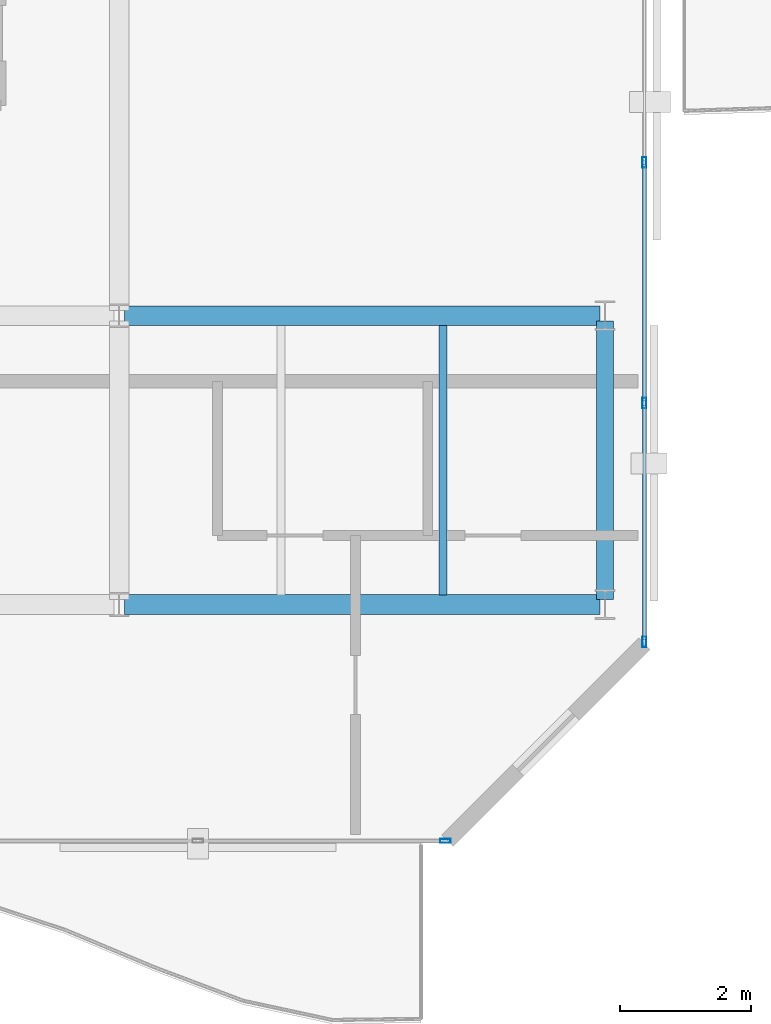
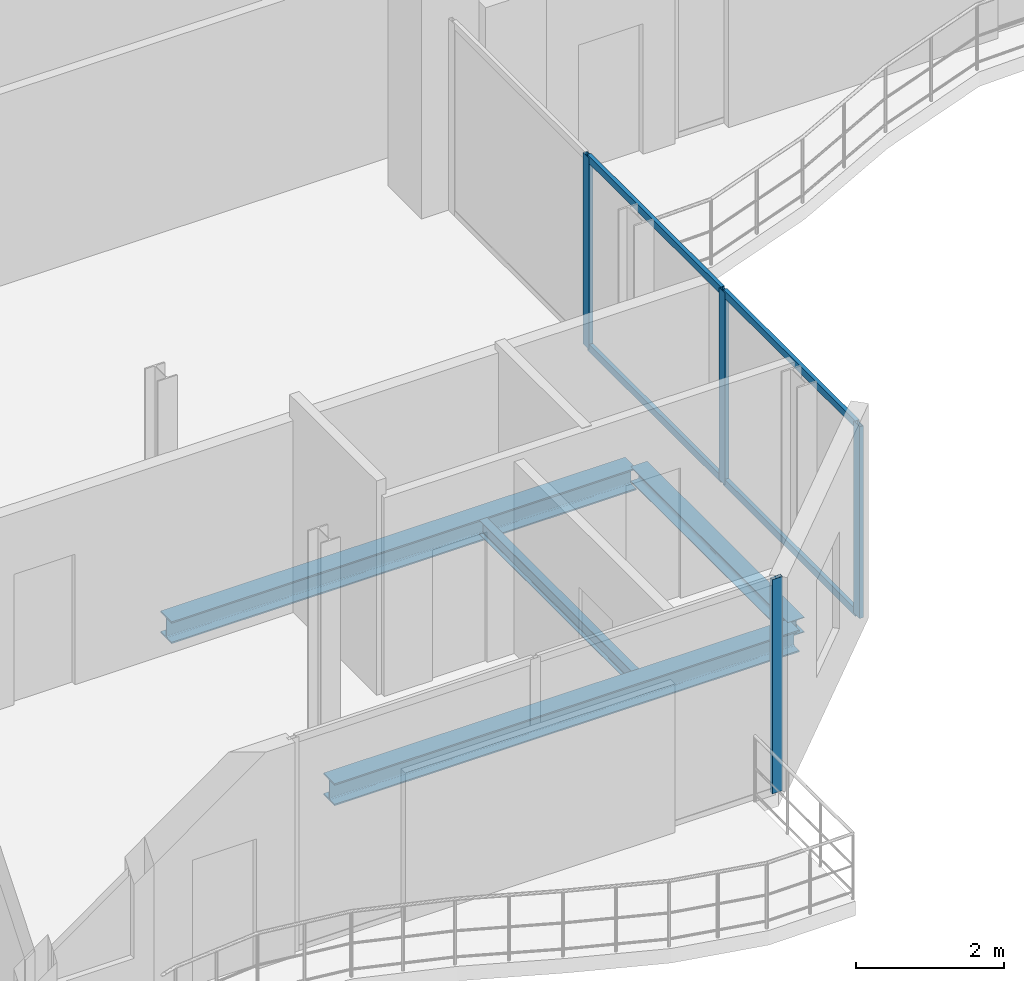
# One storey, part 7 of 23: 8 members, 4 beams, 2 elements without a shape of their own.
"""IFC4 building model written with IfcOpenShell, lengths in metres."""

from ifc_helpers import new_model, si_unit, direction, frame, origin, origin_2d, place, context, subcontext, project, spatial, hollow_rectangle, i_section, extrude, material, layer, layer_set, material_profile, profile_set, type_object, element, aggregate, save


model = new_model("IFC4")

# Units and contexts
model_context = context("Model", 3, precision=1e-05, world=origin(), true_north=direction((0.0, 1.0)))
body_context = subcontext(model_context, "Body", "Model", "MODEL_VIEW")
ifc_project = project(units=[si_unit("LENGTHUNIT", "METRE"), si_unit("AREAUNIT", "SQUARE_METRE"), si_unit("VOLUMEUNIT", "CUBIC_METRE"), si_unit("PLANEANGLEUNIT", "RADIAN"), si_unit("MASSUNIT", "GRAM", prefix="KILO")], contexts=[model_context])

# Site, building, storey
site_placement = place(None, origin())
site = spatial("IfcSite", under=ifc_project, at=site_placement, CompositionType="ELEMENT")
building_placement = place(site_placement, origin())
building = spatial("IfcBuilding", under=site, at=building_placement, Name="Catumbela Crestline Tower", CompositionType="ELEMENT")
storey_placement = place(building_placement, frame((0.0, 0.0, 245.0)))
storey = spatial("IfcBuildingStorey", under=building, at=storey_placement, Name="L63", CompositionType="ELEMENT", Elevation=245.0)

# Beams
ifc_material_1 = material(Name="Structural steel S355J2", Category="steel")
ifc_material_profile_1 = material_profile(ifc_material_1, i_section(OverallWidth=0.3, OverallDepth=0.36, WebThickness=0.0125, FlangeThickness=0.0225, FilletRadius=0.027, at=origin_2d()), Name="HEB 360")
ifc_profile_set_1 = profile_set([ifc_material_profile_1], Name="Structural steel S355J2")
beam_type_1 = type_object("IfcBeamType", Name="BG-HEB360", PredefinedType="BEAM", material=ifc_profile_set_1)
for number, where, z_axis, x_axis, name in (
    (1, (16.08, 13.6, -0.44), (1.0, 0.0, 0.0), (0.0, 1.0, 0.0), "L63 Beam BM-L63-WEW28"),
    (2, (16.08, 18.0, -0.44), (1.0, 0.0, 0.0), (0.0, 1.0, 0.0), "L63 Beam BM-L63-WEW30"),
):
    element("IfcBeam", number, at=place(storey_placement, frame(where, z_axis=z_axis, x_axis=x_axis)), inside=storey, type_object=beam_type_1, Name=name, PredefinedType="BEAM", context=body_context, shape_type="SweptSolid", body=[
        extrude(i_section(OverallWidth=0.3, OverallDepth=0.36, WebThickness=0.0125, FlangeThickness=0.0225, FilletRadius=0.027, at=origin_2d()), origin(), (0.0, 0.0, 1.0), 7.24),
    ])
ifc_material_profile_2 = material_profile(ifc_material_1, i_section(OverallWidth=0.12, OverallDepth=0.24, WebThickness=0.0062, FlangeThickness=0.0098, FilletRadius=0.015, at=origin_2d()), Name="IPE 240")
ifc_profile_set_2 = profile_set([ifc_material_profile_2], Name="Structural steel S355J2")
beam_type_2 = type_object("IfcBeamType", Name="BJ-IPE240", PredefinedType="JOIST", material=ifc_profile_set_2)
beam_1_placement = place(storey_placement, frame((20.933, 13.747, -0.38), z_axis=(0.0, 1.0, 0.0), x_axis=(-1.0, 0.0, 0.0)))
element("IfcBeam", 3, at=beam_1_placement, inside=storey, type_object=beam_type_2, Name="L63 Joist JS-L63-WG39", PredefinedType="JOIST", context=body_context, shape_type="SweptSolid", body=[
    extrude(i_section(OverallWidth=0.12, OverallDepth=0.24, WebThickness=0.0062, FlangeThickness=0.0098, FilletRadius=0.015, at=origin_2d()), origin(), (0.0, 0.0, 1.0), 4.106),
])

# Curtain wall, member
ifc_material_2 = material(Name="Aluminium alloy AW-6060-T66", Category="aluminium")
ifc_layer = layer(ifc_material_2, 0.18, Name="Aluminium alloy AW-6060-T66")
ifc_layer_set = layer_set([ifc_layer], Name="Aluminium alloy AW-6060-T66")
curtain_wall_type = type_object("IfcCurtainWallType", Name="CWU-Z4", PredefinedType="USERDEFINED", material=ifc_layer_set)
curtain_wall_1_placement = place(storey_placement, origin())
curtain_wall_1 = element("IfcCurtainWall", 4, at=curtain_wall_1_placement, inside=storey, type_object=curtain_wall_type, Name="L63 Unitised Curtain Wall CW-L63-E0S2", ObjectType="UNITISED", PredefinedType="USERDEFINED")
ifc_material_profile_3 = material_profile(ifc_material_2, hollow_rectangle(XDim=0.06, YDim=0.16, WallThickness=0.004, at=origin_2d()), Name="ALU 160x60x4")
ifc_profile_set_3 = profile_set([ifc_material_profile_3], Name="Aluminium alloy AW-6060-T66")
member_type_1 = type_object("IfcMemberType", Name="MUL-160X60", PredefinedType="MULLION", material=ifc_profile_set_3)
member_1_placement = place(storey_placement, frame((20.9675, 10.0, 0.0), z_axis=(0.0, 0.0, 1.0), x_axis=(0.0, 1.0, 0.0)))
member_1 = element("IfcMember", 5, at=member_1_placement, type_object=member_type_1, Name="CWU-Z4 mullion 3", PredefinedType="MULLION", context=body_context, shape_type="SweptSolid", body=[
    extrude(hollow_rectangle(XDim=0.06, YDim=0.16, WallThickness=0.004, at=origin_2d()), origin(), (0.0, 0.0, 1.0), 3.53),
])
aggregate(curtain_wall_1, [member_1])

# Curtain wall, members
curtain_wall_2_placement = place(storey_placement, origin())
curtain_wall_2 = element("IfcCurtainWall", 6, at=curtain_wall_2_placement, inside=storey, type_object=curtain_wall_type, Name="L63 Unitised Curtain Wall CW-L63-E2S1", ObjectType="UNITISED", PredefinedType="USERDEFINED")
member_2_placement = place(storey_placement, frame((24.0, 13.0325, 0.0), z_axis=(0.0, 0.0, 1.0), x_axis=(-1.0, 0.0, 0.0)))
member_2 = element("IfcMember", 7, at=member_2_placement, type_object=member_type_1, Name="CWU-Z4 mullion 1", PredefinedType="MULLION", context=body_context, shape_type="SweptSolid", body=[
    extrude(hollow_rectangle(XDim=0.06, YDim=0.16, WallThickness=0.004, at=origin_2d()), origin(), (0.0, 0.0, 1.0), 3.16),
])
member_3_placement = place(storey_placement, frame((24.0, 16.6667, 0.0), z_axis=(0.0, 0.0, 1.0), x_axis=(-1.0, 0.0, 0.0)))
member_3 = element("IfcMember", 8, at=member_3_placement, type_object=member_type_1, Name="CWU-Z4 mullion 2", PredefinedType="MULLION", context=body_context, shape_type="SweptSolid", body=[
    extrude(hollow_rectangle(XDim=0.06, YDim=0.16, WallThickness=0.004, at=origin_2d()), origin(), (0.0, 0.0, 1.0), 3.16),
])
member_4_placement = place(storey_placement, frame((24.0, 20.3333, 0.0), z_axis=(0.0, 0.0, 1.0), x_axis=(-1.0, 0.0, 0.0)))
member_4 = element("IfcMember", 9, at=member_4_placement, type_object=member_type_1, Name="CWU-Z4 mullion 3", PredefinedType="MULLION", context=body_context, shape_type="SweptSolid", body=[
    extrude(hollow_rectangle(XDim=0.06, YDim=0.16, WallThickness=0.004, at=origin_2d()), origin(), (0.0, 0.0, 1.0), 3.16),
])

# Beam
ifc_material_profile_4 = material_profile(ifc_material_1, i_section(OverallWidth=0.26, OverallDepth=0.25, WebThickness=0.0075, FlangeThickness=0.0125, FilletRadius=0.024, at=origin_2d()), Name="HEA 260")
ifc_profile_set_4 = profile_set([ifc_material_profile_4], Name="Structural steel S355J2")
beam_type_3 = type_object("IfcBeamType", Name="BS-HEA260", PredefinedType="SPANDREL", material=ifc_profile_set_4)
beam_2_placement = place(storey_placement, frame((23.4, 13.68, -0.385), z_axis=(0.0, 1.0, 0.0), x_axis=(-1.0, 0.0, 0.0)))
element("IfcBeam", 10, at=beam_2_placement, inside=storey, type_object=beam_type_3, Name="L63 Spandrel SP-L63-WNS35", PredefinedType="SPANDREL", context=body_context, shape_type="SweptSolid", body=[
    extrude(i_section(OverallWidth=0.26, OverallDepth=0.25, WebThickness=0.0075, FlangeThickness=0.0125, FilletRadius=0.024, at=origin_2d()), origin(), (0.0, 0.0, 1.0), 4.24),
])

# Member
ifc_material_profile_5 = material_profile(ifc_material_2, hollow_rectangle(XDim=0.06, YDim=0.12, WallThickness=0.0035, at=origin_2d()), Name="ALU 120x60x3.5")
ifc_profile_set_5 = profile_set([ifc_material_profile_5], Name="Aluminium alloy AW-6060-T66")
member_type_2 = type_object("IfcMemberType", Name="TRN-120X60", PredefinedType="USERDEFINED", material=ifc_profile_set_5)
member_5_placement = place(storey_placement, frame((24.0, 13.065, 0.03), z_axis=(0.0, 1.0, 0.0), x_axis=(-1.0, 0.0, 0.0)))
member_5 = element("IfcMember", 11, at=member_5_placement, type_object=member_type_2, Name="CWU-Z4 transom 1.1", ObjectType="TRANSOM", PredefinedType="USERDEFINED", context=body_context, shape_type="SweptSolid", body=[
    extrude(hollow_rectangle(XDim=0.06, YDim=0.12, WallThickness=0.0035, at=origin_2d()), origin(), (0.0, 0.0, 1.0), 3.5692),
])

member_6_placement = place(storey_placement, frame((24.0, 13.065, 3.13), z_axis=(0.0, 1.0, 0.0), x_axis=(-1.0, 0.0, 0.0)))
member_6 = element("IfcMember", 12, at=member_6_placement, type_object=member_type_2, Name="CWU-Z4 transom 1.2", ObjectType="TRANSOM", PredefinedType="USERDEFINED", context=body_context, shape_type="SweptSolid", body=[
    extrude(hollow_rectangle(XDim=0.06, YDim=0.12, WallThickness=0.0035, at=origin_2d()), origin(), (0.0, 0.0, 1.0), 3.5692),
])

member_7_placement = place(storey_placement, frame((24.0, 16.6992, 0.03), z_axis=(0.0, 1.0, 0.0), x_axis=(-1.0, 0.0, 0.0)))
member_7 = element("IfcMember", 13, at=member_7_placement, type_object=member_type_2, Name="CWU-Z4 transom 2.1", ObjectType="TRANSOM", PredefinedType="USERDEFINED", context=body_context, shape_type="SweptSolid", body=[
    extrude(hollow_rectangle(XDim=0.06, YDim=0.12, WallThickness=0.0035, at=origin_2d()), origin(), (0.0, 0.0, 1.0), 3.6016),
])

member_8_placement = place(storey_placement, frame((24.0, 16.6992, 3.13), z_axis=(0.0, 1.0, 0.0), x_axis=(-1.0, 0.0, 0.0)))
member_8 = element("IfcMember", 14, at=member_8_placement, type_object=member_type_2, Name="CWU-Z4 transom 2.2", ObjectType="TRANSOM", PredefinedType="USERDEFINED", context=body_context, shape_type="SweptSolid", body=[
    extrude(hollow_rectangle(XDim=0.06, YDim=0.12, WallThickness=0.0035, at=origin_2d()), origin(), (0.0, 0.0, 1.0), 3.6016),
])

aggregate(curtain_wall_2, [member_2, member_3, member_4, member_5, member_6, member_7, member_8])

save(model, "model.ifc")
